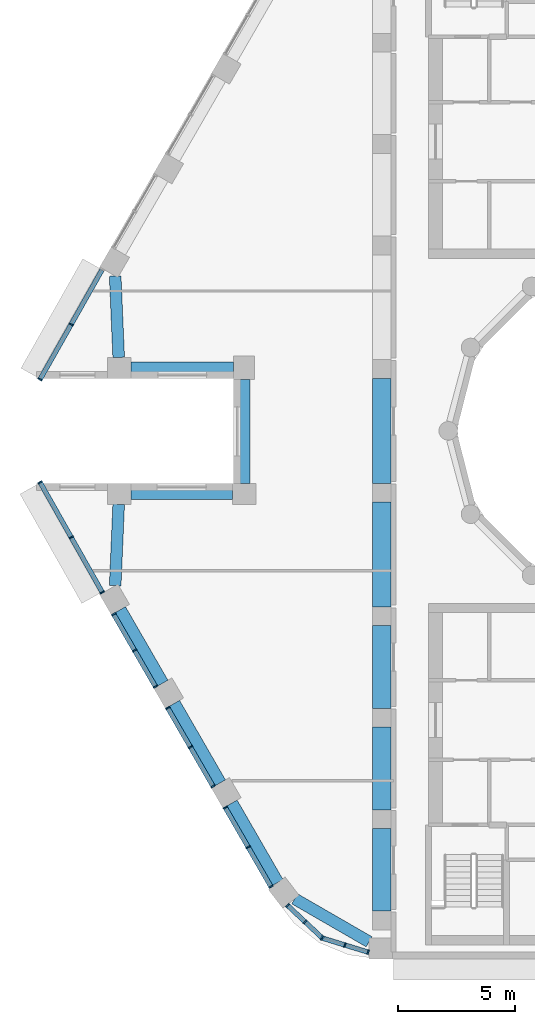
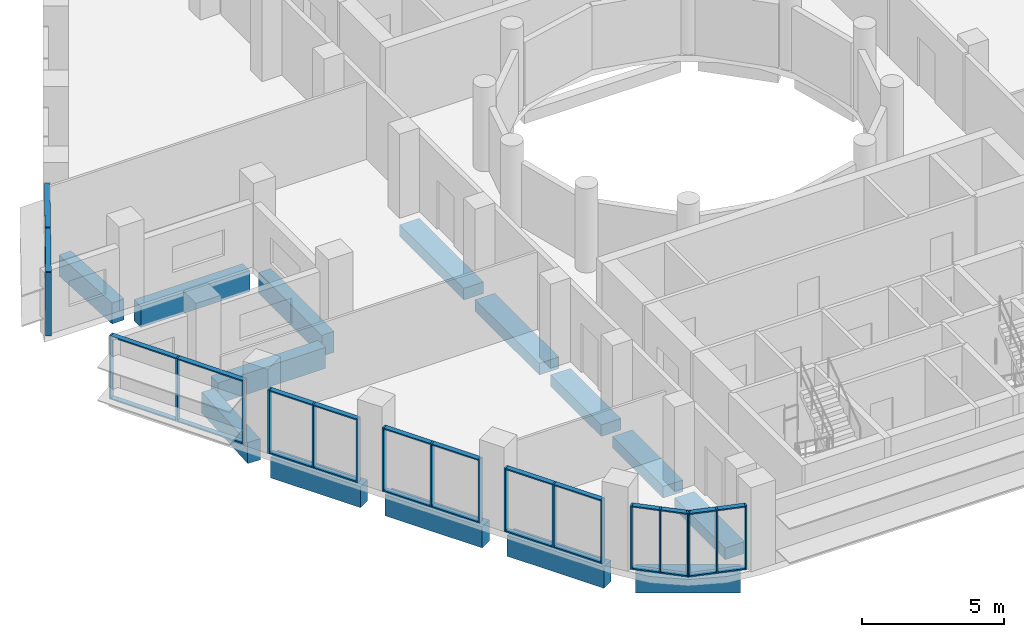
# One storey, part 2 of 16: 48 members, 14 beams, 7 elements without a shape of their own.
"""IFC4 building model written with IfcOpenShell, lengths in metres."""

from ifc_helpers import new_model, si_unit, direction, frame, origin, origin_2d, place, context, subcontext, project, spatial, rectangle, extrude, material, layer, layer_set, material_profile, profile_set, type_object, element, aggregate, save


model = new_model("IFC4")

# Units and contexts
model_context = context("Model", 3, precision=1e-05, world=origin(), true_north=direction((0.0, 1.0)))
body_context = subcontext(model_context, "Body", "Model", "MODEL_VIEW")
ifc_project = project(units=[si_unit("LENGTHUNIT", "METRE"), si_unit("AREAUNIT", "SQUARE_METRE"), si_unit("VOLUMEUNIT", "CUBIC_METRE"), si_unit("PLANEANGLEUNIT", "RADIAN"), si_unit("MASSUNIT", "GRAM", prefix="KILO")], contexts=[model_context])

# Site, building, storey
site_placement = place(None, origin())
site = spatial("IfcSite", under=ifc_project, at=site_placement, CompositionType="ELEMENT")
building_placement = place(site_placement, origin())
building = spatial("IfcBuilding", under=site, at=building_placement, Name="Nakaniwa Court", CompositionType="ELEMENT")
storey_placement = place(building_placement, frame((0.0, 0.0, 272.39990234375)))
storey = spatial("IfcBuildingStorey", under=building, at=storey_placement, Name="C01", CompositionType="ELEMENT", Elevation=272.39990234375)

# Beams
ifc_material_1 = material(Name="Concrete C80/100", Category="concrete")
ifc_material_profile_1 = material_profile(ifc_material_1, rectangle(XDim=0.5, YDim=0.89990234375, at=origin_2d()), Name="Concrete C80/100 RC 500x900 spandrel beam")
ifc_profile_set_1 = profile_set([ifc_material_profile_1], Name="Concrete C80/100")
beam_type_1 = type_object("IfcBeamType", Name="Concrete C80/100 RC 500x900 spandrel beam", PredefinedType="BEAM", material=ifc_profile_set_1)
beam_1_placement = place(storey_placement, frame((58.566650390625, 86.64013671875, -0.724853515625), z_axis=(0.042909518952, -0.999078962437, 0.0), x_axis=(0.999078962437, 0.042909518952, 0.0)))
element("IfcBeam", 1, at=beam_1_placement, inside=storey, type_object=beam_type_1, Name="SPANDREL BEAM", PredefinedType="BEAM", context=body_context, shape_type="SweptSolid", body=[
    extrude(rectangle(XDim=0.5, YDim=0.89990234375, at=origin_2d()), origin(), (0.0, 0.0, 1.0), 3.493408203125),
])
beam_2_placement = place(storey_placement, frame((59.236083984375, 82.699951171875, -0.724853515625), z_axis=(1.0, 0.0, 0.0), x_axis=(0.0, 1.0, 0.0)))
element("IfcBeam", 2, at=beam_2_placement, inside=storey, type_object=beam_type_1, Name="SPANDREL BEAM", PredefinedType="BEAM", context=body_context, shape_type="SweptSolid", body=[
    extrude(rectangle(XDim=0.5, YDim=0.89990234375, at=origin_2d()), origin(), (0.0, 0.0, 1.0), 4.414306640625),
])
beam_3_placement = place(storey_placement, frame((64.1005859375, 82.199951171875, -0.724853515625), z_axis=(0.0, -1.0, 0.0), x_axis=(1.0, 0.0, 0.0)))
element("IfcBeam", 3, at=beam_3_placement, inside=storey, type_object=beam_type_1, Name="SPANDREL BEAM", PredefinedType="BEAM", context=body_context, shape_type="SweptSolid", body=[
    extrude(rectangle(XDim=0.5, YDim=0.89990234375, at=origin_2d()), origin(), (0.0, 0.0, 1.0), 4.449951171875),
])
beam_4_placement = place(storey_placement, frame((63.6005859375, 77.300048828125, -0.724853515625), z_axis=(-1.0, 0.0, 0.0), x_axis=(0.0, -1.0, 0.0)))
element("IfcBeam", 4, at=beam_4_placement, inside=storey, type_object=beam_type_1, Name="SPANDREL BEAM", PredefinedType="BEAM", context=body_context, shape_type="SweptSolid", body=[
    extrude(rectangle(XDim=0.5, YDim=0.89990234375, at=origin_2d()), origin(), (0.0, 0.0, 1.0), 4.364501953125),
])
beam_5_placement = place(storey_placement, frame((58.716552734375, 76.85009765625, -0.724853515625), z_axis=(-0.042909518952, -0.999078962437, 0.0), x_axis=(0.999078962437, -0.042909518952, 0.0)))
element("IfcBeam", 5, at=beam_5_placement, inside=storey, type_object=beam_type_1, Name="SPANDREL BEAM", PredefinedType="BEAM", context=body_context, shape_type="SweptSolid", body=[
    extrude(rectangle(XDim=0.5, YDim=0.89990234375, at=origin_2d()), origin(), (0.0, 0.0, 1.0), 3.493408203125),
])
beam_6_placement = place(storey_placement, frame((58.791015625, 72.334716796875, -0.724853515625), z_axis=(0.500028315034, -0.866009055475, 0.0), x_axis=(0.866009055475, 0.500028315034, 0.0)))
element("IfcBeam", 6, at=beam_6_placement, inside=storey, type_object=beam_type_1, Name="SPANDREL BEAM", PredefinedType="BEAM", context=body_context, shape_type="SweptSolid", body=[
    extrude(rectangle(XDim=0.5, YDim=0.89990234375, at=origin_2d()), origin(), (0.0, 0.0, 1.0), 3.638916015625),
])
beam_7_placement = place(storey_placement, frame((61.110595703125, 68.3173828125, -0.724853515625), z_axis=(0.500021313302, -0.866013098194, 0.0), x_axis=(0.866013098194, 0.500021313302, 0.0)))
element("IfcBeam", 7, at=beam_7_placement, inside=storey, type_object=beam_type_1, Name="SPANDREL BEAM", PredefinedType="BEAM", context=body_context, shape_type="SweptSolid", body=[
    extrude(rectangle(XDim=0.5, YDim=0.89990234375, at=origin_2d()), origin(), (0.0, 0.0, 1.0), 3.936279296875),
])
beam_8_placement = place(storey_placement, frame((63.578857421875, 64.04248046875, -0.724853515625), z_axis=(0.499958946799, -0.866049104564, 0.0), x_axis=(0.866049104564, 0.499958946799, 0.0)))
element("IfcBeam", 8, at=beam_8_placement, inside=storey, type_object=beam_type_1, Name="SPANDREL BEAM", PredefinedType="BEAM", context=body_context, shape_type="SweptSolid", body=[
    extrude(rectangle(XDim=0.5, YDim=0.89990234375, at=origin_2d()), origin(), (0.0, 0.0, 1.0), 3.931884765625),
])
beam_9_placement = place(storey_placement, frame((66.265625, 59.929931640625, -0.724853515625), z_axis=(0.866006720078, -0.500032359733, 0.0), x_axis=(0.500032359733, 0.866006720078, 0.0)))
element("IfcBeam", 9, at=beam_9_placement, inside=storey, type_object=beam_type_1, Name="SPANDREL BEAM", PredefinedType="BEAM", context=body_context, shape_type="SweptSolid", body=[
    extrude(rectangle(XDim=0.5, YDim=0.89990234375, at=origin_2d()), origin(), (0.0, 0.0, 1.0), 3.682373046875),
])
ifc_material_profile_2 = material_profile(ifc_material_1, rectangle(XDim=0.800048828125, YDim=0.5, at=origin_2d()), Name="Concrete C80/100 RC 800x500 ring beam")
ifc_profile_set_2 = profile_set([ifc_material_profile_2], Name="Concrete C80/100")
beam_type_2 = type_object("IfcBeamType", Name="Concrete C80/100 RC 800x500 ring beam", PredefinedType="BEAM", material=ifc_profile_set_2)
for number, where, z_axis, x_axis, name in (
    (10, (70.0, 82.25, -0.52490234375), (0.0, -1.0, 0.0), (1.0, 0.0, 0.0), "RING BEAM"),
    (11, (70.0, 76.949951171875, -0.52490234375), (0.0, -1.0, 0.0), (1.0, 0.0, 0.0), "RING BEAM"),
):
    element("IfcBeam", number, at=place(storey_placement, frame(where, z_axis=z_axis, x_axis=x_axis)), inside=storey, type_object=beam_type_2, Name=name, PredefinedType="BEAM", context=body_context, shape_type="SweptSolid", body=[
        extrude(rectangle(XDim=0.800048828125, YDim=0.5, at=origin_2d()), origin(), (0.0, 0.0, 1.0), 4.5),
    ])
beam_10_placement = place(storey_placement, frame((70.0, 71.64990234375, -0.52490234375), z_axis=(0.0, -1.0, 0.0), x_axis=(1.0, 0.0, 0.0)))
element("IfcBeam", 12, at=beam_10_placement, inside=storey, type_object=beam_type_2, Name="RING BEAM", PredefinedType="BEAM", context=body_context, shape_type="SweptSolid", body=[
    extrude(rectangle(XDim=0.800048828125, YDim=0.5, at=origin_2d()), origin(), (0.0, 0.0, 1.0), 3.5498046875),
])
for number, where, z_axis, x_axis, name in (
    (13, (70.0, 67.300048828125, -0.52490234375), (0.0, -1.0, 0.0), (1.0, 0.0, 0.0), "RING BEAM"),
    (14, (70.0, 62.949951171875, -0.52490234375), (0.0, -1.0, 0.0), (1.0, 0.0, 0.0), "RING BEAM"),
):
    element("IfcBeam", number, at=place(storey_placement, frame(where, z_axis=z_axis, x_axis=x_axis)), inside=storey, type_object=beam_type_2, Name=name, PredefinedType="BEAM", context=body_context, shape_type="SweptSolid", body=[
        extrude(rectangle(XDim=0.800048828125, YDim=0.5, at=origin_2d()), origin(), (0.0, 0.0, 1.0), 3.550048828125),
    ])

# Curtain wall, members
ifc_material_2 = material(Name="Black anodised aluminium frame with dark low-E laminated double glazing", Category="aluminium")
ifc_layer = layer(ifc_material_2, 0.199951171875)
ifc_layer_set = layer_set([ifc_layer], Name="Black anodised aluminium frame with dark low-E laminated double glazing")
curtain_wall_type = type_object("IfcCurtainWallType", Name="Crown curtain wall", PredefinedType="NOTDEFINED", material=ifc_layer_set)
curtain_wall_1_placement = place(storey_placement, origin())
curtain_wall_1 = element("IfcCurtainWall", 15, at=curtain_wall_1_placement, inside=storey, type_object=curtain_wall_type, Name="C01 curtain wall CW4 14", PredefinedType="NOTDEFINED")
ifc_material_3 = material(Name="Black anodised aluminium extrusion", Category="aluminium")
ifc_material_profile_3 = material_profile(ifc_material_3, rectangle(XDim=0.199951171875, YDim=0.06494140625, at=origin_2d()), Name="Crown curtain wall mullion 65x200")
ifc_profile_set_3 = profile_set([ifc_material_profile_3], Name="Black anodised aluminium extrusion")
member_type_1 = type_object("IfcMemberType", Name="Crown curtain wall mullion 65x200", PredefinedType="MULLION", material=ifc_profile_set_3)
member_1_placement = place(storey_placement, frame((56.679443359375, 84.566162109375, 0.0), z_axis=(0.0, 0.0, 1.0), x_axis=(0.870495279169, -0.492176765953, 0.0)))
member_1 = element("IfcMember", 16, at=member_1_placement, type_object=member_type_1, Name="CW4 mullion 2", PredefinedType="MULLION", context=body_context, shape_type="SweptSolid", body=[
    extrude(rectangle(XDim=0.199951171875, YDim=0.06494140625, at=origin_2d()), origin(), (0.0, 0.0, 1.0), 2.72509765625),
])
member_2_placement = place(storey_placement, frame((55.34521484375, 82.206298828125, 0.0), z_axis=(0.0, 0.0, 1.0), x_axis=(0.870495279169, -0.492176765953, 0.0)))
member_2 = element("IfcMember", 17, at=member_2_placement, type_object=member_type_1, Name="CW4 mullion 3", PredefinedType="MULLION", context=body_context, shape_type="SweptSolid", body=[
    extrude(rectangle(XDim=0.199951171875, YDim=0.06494140625, at=origin_2d()), origin(), (0.0, 0.0, 1.0), 2.72509765625),
])

curtain_wall_2_placement = place(storey_placement, origin())
curtain_wall_2 = element("IfcCurtainWall", 18, at=curtain_wall_2_placement, inside=storey, type_object=curtain_wall_type, Name="C01 curtain wall CW4 20", PredefinedType="NOTDEFINED")
member_3_placement = place(storey_placement, frame((55.34521484375, 77.793701171875, 0.0), z_axis=(0.0, 0.0, 1.0), x_axis=(0.870495279169, 0.492176765953, 0.0)))
member_3 = element("IfcMember", 19, at=member_3_placement, type_object=member_type_1, Name="CW4 mullion 1", PredefinedType="MULLION", context=body_context, shape_type="SweptSolid", body=[
    extrude(rectangle(XDim=0.199951171875, YDim=0.06494140625, at=origin_2d()), origin(), (0.0, 0.0, 1.0), 2.72509765625),
])
member_4_placement = place(storey_placement, frame((56.679443359375, 75.433837890625, 0.0), z_axis=(0.0, 0.0, 1.0), x_axis=(0.870495279169, 0.492176765953, 0.0)))
member_4 = element("IfcMember", 20, at=member_4_placement, type_object=member_type_1, Name="CW4 mullion 2", PredefinedType="MULLION", context=body_context, shape_type="SweptSolid", body=[
    extrude(rectangle(XDim=0.199951171875, YDim=0.06494140625, at=origin_2d()), origin(), (0.0, 0.0, 1.0), 2.72509765625),
])
member_5_placement = place(storey_placement, frame((58.013671875, 73.073974609375, 0.0), z_axis=(0.0, 0.0, 1.0), x_axis=(0.870495279169, 0.492176765953, 0.0)))
member_5 = element("IfcMember", 21, at=member_5_placement, type_object=member_type_1, Name="CW4 mullion 3", PredefinedType="MULLION", context=body_context, shape_type="SweptSolid", body=[
    extrude(rectangle(XDim=0.199951171875, YDim=0.06494140625, at=origin_2d()), origin(), (0.0, 0.0, 1.0), 2.72509765625),
])

curtain_wall_3_placement = place(storey_placement, origin())
curtain_wall_3 = element("IfcCurtainWall", 22, at=curtain_wall_3_placement, inside=storey, type_object=curtain_wall_type, Name="C01 curtain wall CW4 21", PredefinedType="NOTDEFINED")
member_6_placement = place(storey_placement, frame((58.502197265625, 72.13525390625, 0.0), z_axis=(0.0, 0.0, 1.0), x_axis=(0.866032625369, 0.49998749164, 0.0)))
member_6 = element("IfcMember", 23, at=member_6_placement, type_object=member_type_1, Name="CW4 mullion 1", PredefinedType="MULLION", context=body_context, shape_type="SweptSolid", body=[
    extrude(rectangle(XDim=0.199951171875, YDim=0.06494140625, at=origin_2d()), origin(), (0.0, 0.0, 1.0), 2.72509765625),
])
member_7_placement = place(storey_placement, frame((59.397705078125, 70.583984375, 0.0), z_axis=(0.0, 0.0, 1.0), x_axis=(0.866032625369, 0.49998749164, 0.0)))
member_7 = element("IfcMember", 24, at=member_7_placement, type_object=member_type_1, Name="CW4 mullion 2", PredefinedType="MULLION", context=body_context, shape_type="SweptSolid", body=[
    extrude(rectangle(XDim=0.199951171875, YDim=0.06494140625, at=origin_2d()), origin(), (0.0, 0.0, 1.0), 2.72509765625),
])
member_8_placement = place(storey_placement, frame((60.293212890625, 69.032958984375, 0.0), z_axis=(0.0, 0.0, 1.0), x_axis=(0.866032625369, 0.49998749164, 0.0)))
member_8 = element("IfcMember", 25, at=member_8_placement, type_object=member_type_1, Name="CW4 mullion 3", PredefinedType="MULLION", context=body_context, shape_type="SweptSolid", body=[
    extrude(rectangle(XDim=0.199951171875, YDim=0.06494140625, at=origin_2d()), origin(), (0.0, 0.0, 1.0), 2.72509765625),
])

curtain_wall_4_placement = place(storey_placement, origin())
curtain_wall_4 = element("IfcCurtainWall", 26, at=curtain_wall_4_placement, inside=storey, type_object=curtain_wall_type, Name="C01 curtain wall CW4 22", PredefinedType="NOTDEFINED")
member_9_placement = place(storey_placement, frame((60.82177734375, 68.11767578125, 0.0), z_axis=(0.0, 0.0, 1.0), x_axis=(0.866015857958, 0.500016533491, 0.0)))
member_9 = element("IfcMember", 27, at=member_9_placement, type_object=member_type_1, Name="CW4 mullion 1", PredefinedType="MULLION", context=body_context, shape_type="SweptSolid", body=[
    extrude(rectangle(XDim=0.199951171875, YDim=0.06494140625, at=origin_2d()), origin(), (0.0, 0.0, 1.0), 2.72509765625),
])
member_10_placement = place(storey_placement, frame((61.79150390625, 66.437744140625, 0.0), z_axis=(0.0, 0.0, 1.0), x_axis=(0.866015857958, 0.500016533491, 0.0)))
member_10 = element("IfcMember", 28, at=member_10_placement, type_object=member_type_1, Name="CW4 mullion 2", PredefinedType="MULLION", context=body_context, shape_type="SweptSolid", body=[
    extrude(rectangle(XDim=0.199951171875, YDim=0.06494140625, at=origin_2d()), origin(), (0.0, 0.0, 1.0), 2.72509765625),
])
member_11_placement = place(storey_placement, frame((62.761474609375, 64.758056640625, 0.0), z_axis=(0.0, 0.0, 1.0), x_axis=(0.866015857958, 0.500016533491, 0.0)))
member_11 = element("IfcMember", 29, at=member_11_placement, type_object=member_type_1, Name="CW4 mullion 3", PredefinedType="MULLION", context=body_context, shape_type="SweptSolid", body=[
    extrude(rectangle(XDim=0.199951171875, YDim=0.06494140625, at=origin_2d()), origin(), (0.0, 0.0, 1.0), 2.72509765625),
])

curtain_wall_5_placement = place(storey_placement, origin())
curtain_wall_5 = element("IfcCurtainWall", 30, at=curtain_wall_5_placement, inside=storey, type_object=curtain_wall_type, Name="C01 curtain wall CW4 23", PredefinedType="NOTDEFINED")
member_12_placement = place(storey_placement, frame((63.2900390625, 63.8427734375, 0.0), z_axis=(0.0, 0.0, 1.0), x_axis=(0.866027822975, 0.499995809815, 0.0)))
member_12 = element("IfcMember", 31, at=member_12_placement, type_object=member_type_1, Name="CW4 mullion 1", PredefinedType="MULLION", context=body_context, shape_type="SweptSolid", body=[
    extrude(rectangle(XDim=0.199951171875, YDim=0.06494140625, at=origin_2d()), origin(), (0.0, 0.0, 1.0), 2.72509765625),
])
member_13_placement = place(storey_placement, frame((64.2685546875, 62.147705078125, 0.0), z_axis=(0.0, 0.0, 1.0), x_axis=(0.866027822975, 0.499995809815, 0.0)))
member_13 = element("IfcMember", 32, at=member_13_placement, type_object=member_type_1, Name="CW4 mullion 2", PredefinedType="MULLION", context=body_context, shape_type="SweptSolid", body=[
    extrude(rectangle(XDim=0.199951171875, YDim=0.06494140625, at=origin_2d()), origin(), (0.0, 0.0, 1.0), 2.72509765625),
])
member_14_placement = place(storey_placement, frame((65.2470703125, 60.45263671875, 0.0), z_axis=(0.0, 0.0, 1.0), x_axis=(0.866027822975, 0.499995809815, 0.0)))
member_14 = element("IfcMember", 33, at=member_14_placement, type_object=member_type_1, Name="CW4 mullion 3", PredefinedType="MULLION", context=body_context, shape_type="SweptSolid", body=[
    extrude(rectangle(XDim=0.199951171875, YDim=0.06494140625, at=origin_2d()), origin(), (0.0, 0.0, 1.0), 2.72509765625),
])

curtain_wall_6_placement = place(storey_placement, origin())
curtain_wall_6 = element("IfcCurtainWall", 34, at=curtain_wall_6_placement, inside=storey, type_object=curtain_wall_type, Name="C01 curtain wall CW4 24", PredefinedType="NOTDEFINED")
member_15_placement = place(storey_placement, frame((65.959228515625, 59.649169921875, 0.0), z_axis=(0.0, 0.0, 1.0), x_axis=(0.684182155809, 0.729311166562, 0.0)))
member_15 = element("IfcMember", 35, at=member_15_placement, type_object=member_type_1, Name="CW4 mullion 1", PredefinedType="MULLION", context=body_context, shape_type="SweptSolid", body=[
    extrude(rectangle(XDim=0.199951171875, YDim=0.06494140625, at=origin_2d()), origin(), (0.0, 0.0, 1.0), 2.72509765625),
])
member_16_placement = place(storey_placement, frame((66.71044921875, 58.9443359375, 0.0), z_axis=(0.0, 0.0, 1.0), x_axis=(0.684182155809, 0.729311166562, 0.0)))
member_16 = element("IfcMember", 36, at=member_16_placement, type_object=member_type_1, Name="CW4 mullion 2", PredefinedType="MULLION", context=body_context, shape_type="SweptSolid", body=[
    extrude(rectangle(XDim=0.199951171875, YDim=0.06494140625, at=origin_2d()), origin(), (0.0, 0.0, 1.0), 2.72509765625),
])
member_17_placement = place(storey_placement, frame((67.461669921875, 58.23974609375, 0.0), z_axis=(0.0, 0.0, 1.0), x_axis=(0.684182155809, 0.729311166562, 0.0)))
member_17 = element("IfcMember", 37, at=member_17_placement, type_object=member_type_1, Name="CW4 mullion 3", PredefinedType="MULLION", context=body_context, shape_type="SweptSolid", body=[
    extrude(rectangle(XDim=0.199951171875, YDim=0.06494140625, at=origin_2d()), origin(), (0.0, 0.0, 1.0), 2.72509765625),
])

curtain_wall_7_placement = place(storey_placement, origin())
curtain_wall_7 = element("IfcCurtainWall", 38, at=curtain_wall_7_placement, inside=storey, type_object=curtain_wall_type, Name="C01 curtain wall CW4 25", PredefinedType="NOTDEFINED")
member_18_placement = place(storey_placement, frame((67.42333984375, 58.255615234375, 0.0), z_axis=(0.0, 0.0, 1.0), x_axis=(0.293506245143, 0.955957155976, 0.0)))
member_18 = element("IfcMember", 39, at=member_18_placement, type_object=member_type_1, Name="CW4 mullion 1", PredefinedType="MULLION", context=body_context, shape_type="SweptSolid", body=[
    extrude(rectangle(XDim=0.199951171875, YDim=0.06494140625, at=origin_2d()), origin(), (0.0, 0.0, 1.0), 2.72509765625),
])
member_19_placement = place(storey_placement, frame((68.41796875, 57.9501953125, 0.0), z_axis=(0.0, 0.0, 1.0), x_axis=(0.293506245143, 0.955957155976, 0.0)))
member_19 = element("IfcMember", 40, at=member_19_placement, type_object=member_type_1, Name="CW4 mullion 2", PredefinedType="MULLION", context=body_context, shape_type="SweptSolid", body=[
    extrude(rectangle(XDim=0.199951171875, YDim=0.06494140625, at=origin_2d()), origin(), (0.0, 0.0, 1.0), 2.72509765625),
])
member_20_placement = place(storey_placement, frame((69.412841796875, 57.644775390625, 0.0), z_axis=(0.0, 0.0, 1.0), x_axis=(0.293506245143, 0.955957155976, 0.0)))
member_20 = element("IfcMember", 41, at=member_20_placement, type_object=member_type_1, Name="CW4 mullion 3", PredefinedType="MULLION", context=body_context, shape_type="SweptSolid", body=[
    extrude(rectangle(XDim=0.199951171875, YDim=0.06494140625, at=origin_2d()), origin(), (0.0, 0.0, 1.0), 2.72509765625),
])

# Member
ifc_material_profile_4 = material_profile(ifc_material_3, rectangle(XDim=0.199951171875, YDim=0.054931640625, at=origin_2d()), Name="Crown curtain wall transom 55x200")
ifc_profile_set_4 = profile_set([ifc_material_profile_4], Name="Black anodised aluminium extrusion")
member_type_2 = type_object("IfcMemberType", Name="Crown curtain wall transom 55x200", PredefinedType="USERDEFINED", material=ifc_profile_set_4)
member_21_placement = place(storey_placement, frame((57.997802734375, 86.897705078125, 0.027587890625), z_axis=(-0.492178871127, -0.870494088904, 0.0), x_axis=(0.870494088904, -0.492178871127, 0.0)))
member_21 = element("IfcMember", 42, at=member_21_placement, type_object=member_type_2, Name="CW4 transom 1.1", ObjectType="TRANSOM", PredefinedType="USERDEFINED", context=body_context, shape_type="SweptSolid", body=[
    extrude(rectangle(XDim=0.199951171875, YDim=0.054931640625, at=origin_2d()), origin(), (0.0, 0.0, 1.0), 2.64599609375),
])

member_22_placement = place(storey_placement, frame((57.997802734375, 86.897705078125, 2.697509765625), z_axis=(-0.492178871127, -0.870494088904, 0.0), x_axis=(0.870494088904, -0.492178871127, 0.0)))
member_22 = element("IfcMember", 43, at=member_22_placement, type_object=member_type_2, Name="CW4 transom 1.2", ObjectType="TRANSOM", PredefinedType="USERDEFINED", context=body_context, shape_type="SweptSolid", body=[
    extrude(rectangle(XDim=0.199951171875, YDim=0.054931640625, at=origin_2d()), origin(), (0.0, 0.0, 1.0), 2.64599609375),
])

member_23_placement = place(storey_placement, frame((56.66357421875, 84.537841796875, 0.027587890625), z_axis=(-0.492178871127, -0.870494088904, 0.0), x_axis=(0.870494088904, -0.492178871127, 0.0)))
member_23 = element("IfcMember", 44, at=member_23_placement, type_object=member_type_2, Name="CW4 transom 2.1", ObjectType="TRANSOM", PredefinedType="USERDEFINED", context=body_context, shape_type="SweptSolid", body=[
    extrude(rectangle(XDim=0.199951171875, YDim=0.054931640625, at=origin_2d()), origin(), (0.0, 0.0, 1.0), 2.64599609375),
])

member_24_placement = place(storey_placement, frame((56.66357421875, 84.537841796875, 2.697509765625), z_axis=(-0.492178871127, -0.870494088904, 0.0), x_axis=(0.870494088904, -0.492178871127, 0.0)))
member_24 = element("IfcMember", 45, at=member_24_placement, type_object=member_type_2, Name="CW4 transom 2.2", ObjectType="TRANSOM", PredefinedType="USERDEFINED", context=body_context, shape_type="SweptSolid", body=[
    extrude(rectangle(XDim=0.199951171875, YDim=0.054931640625, at=origin_2d()), origin(), (0.0, 0.0, 1.0), 2.64599609375),
])

aggregate(curtain_wall_1, [member_1, member_2, member_21, member_22, member_23, member_24])

member_25_placement = place(storey_placement, frame((55.361328125, 77.765380859375, 0.027587890625), z_axis=(0.492178871127, -0.870494088904, 0.0), x_axis=(0.870494088904, 0.492178871127, 0.0)))
member_25 = element("IfcMember", 46, at=member_25_placement, type_object=member_type_2, Name="CW4 transom 1.1", ObjectType="TRANSOM", PredefinedType="USERDEFINED", context=body_context, shape_type="SweptSolid", body=[
    extrude(rectangle(XDim=0.199951171875, YDim=0.054931640625, at=origin_2d()), origin(), (0.0, 0.0, 1.0), 2.64599609375),
])

member_26_placement = place(storey_placement, frame((55.361328125, 77.765380859375, 2.697509765625), z_axis=(0.492178871127, -0.870494088904, 0.0), x_axis=(0.870494088904, 0.492178871127, 0.0)))
member_26 = element("IfcMember", 47, at=member_26_placement, type_object=member_type_2, Name="CW4 transom 1.2", ObjectType="TRANSOM", PredefinedType="USERDEFINED", context=body_context, shape_type="SweptSolid", body=[
    extrude(rectangle(XDim=0.199951171875, YDim=0.054931640625, at=origin_2d()), origin(), (0.0, 0.0, 1.0), 2.64599609375),
])

member_27_placement = place(storey_placement, frame((56.695556640625, 75.405517578125, 0.027587890625), z_axis=(0.492178871127, -0.870494088904, 0.0), x_axis=(0.870494088904, 0.492178871127, 0.0)))
member_27 = element("IfcMember", 48, at=member_27_placement, type_object=member_type_2, Name="CW4 transom 2.1", ObjectType="TRANSOM", PredefinedType="USERDEFINED", context=body_context, shape_type="SweptSolid", body=[
    extrude(rectangle(XDim=0.199951171875, YDim=0.054931640625, at=origin_2d()), origin(), (0.0, 0.0, 1.0), 2.64599609375),
])

member_28_placement = place(storey_placement, frame((56.695556640625, 75.405517578125, 2.697509765625), z_axis=(0.492178871127, -0.870494088904, 0.0), x_axis=(0.870494088904, 0.492178871127, 0.0)))
member_28 = element("IfcMember", 49, at=member_28_placement, type_object=member_type_2, Name="CW4 transom 2.2", ObjectType="TRANSOM", PredefinedType="USERDEFINED", context=body_context, shape_type="SweptSolid", body=[
    extrude(rectangle(XDim=0.199951171875, YDim=0.054931640625, at=origin_2d()), origin(), (0.0, 0.0, 1.0), 2.64599609375),
])

aggregate(curtain_wall_2, [member_3, member_4, member_5, member_25, member_26, member_27, member_28])

member_29_placement = place(storey_placement, frame((58.5185546875, 72.10693359375, 0.027587890625), z_axis=(0.500048976984, -0.865997125063, 0.0), x_axis=(0.865997125063, 0.500048976984, 0.0)))
member_29 = element("IfcMember", 50, at=member_29_placement, type_object=member_type_2, Name="CW4 transom 1.1", ObjectType="TRANSOM", PredefinedType="USERDEFINED", context=body_context, shape_type="SweptSolid", body=[
    extrude(rectangle(XDim=0.199951171875, YDim=0.054931640625, at=origin_2d()), origin(), (0.0, 0.0, 1.0), 1.725830078125),
])

member_30_placement = place(storey_placement, frame((58.5185546875, 72.10693359375, 2.697509765625), z_axis=(0.500048976984, -0.865997125063, 0.0), x_axis=(0.865997125063, 0.500048976984, 0.0)))
member_30 = element("IfcMember", 51, at=member_30_placement, type_object=member_type_2, Name="CW4 transom 1.2", ObjectType="TRANSOM", PredefinedType="USERDEFINED", context=body_context, shape_type="SweptSolid", body=[
    extrude(rectangle(XDim=0.199951171875, YDim=0.054931640625, at=origin_2d()), origin(), (0.0, 0.0, 1.0), 1.725830078125),
])

member_31_placement = place(storey_placement, frame((59.4140625, 70.555908203125, 0.027587890625), z_axis=(0.499987726745, -0.866032489635, 0.0), x_axis=(0.866032489635, 0.499987726745, 0.0)))
member_31 = element("IfcMember", 52, at=member_31_placement, type_object=member_type_2, Name="CW4 transom 2.1", ObjectType="TRANSOM", PredefinedType="USERDEFINED", context=body_context, shape_type="SweptSolid", body=[
    extrude(rectangle(XDim=0.199951171875, YDim=0.054931640625, at=origin_2d()), origin(), (0.0, 0.0, 1.0), 1.72607421875),
])

member_32_placement = place(storey_placement, frame((59.4140625, 70.555908203125, 2.697509765625), z_axis=(0.499987726745, -0.866032489635, 0.0), x_axis=(0.866032489635, 0.499987726745, 0.0)))
member_32 = element("IfcMember", 53, at=member_32_placement, type_object=member_type_2, Name="CW4 transom 2.2", ObjectType="TRANSOM", PredefinedType="USERDEFINED", context=body_context, shape_type="SweptSolid", body=[
    extrude(rectangle(XDim=0.199951171875, YDim=0.054931640625, at=origin_2d()), origin(), (0.0, 0.0, 1.0), 1.72607421875),
])

aggregate(curtain_wall_3, [member_6, member_7, member_8, member_29, member_30, member_31, member_32])

member_33_placement = place(storey_placement, frame((60.837890625, 68.08935546875, 0.027587890625), z_axis=(0.50011702088, -0.865957831206, 0.0), x_axis=(0.865957831206, 0.50011702088, 0.0)))
member_33 = element("IfcMember", 54, at=member_33_placement, type_object=member_type_2, Name="CW4 transom 1.1", ObjectType="TRANSOM", PredefinedType="USERDEFINED", context=body_context, shape_type="SweptSolid", body=[
    extrude(rectangle(XDim=0.199951171875, YDim=0.054931640625, at=origin_2d()), origin(), (0.0, 0.0, 1.0), 1.87451171875),
])

member_34_placement = place(storey_placement, frame((60.837890625, 68.08935546875, 2.697509765625), z_axis=(0.50011702088, -0.865957831206, 0.0), x_axis=(0.865957831206, 0.50011702088, 0.0)))
member_34 = element("IfcMember", 55, at=member_34_placement, type_object=member_type_2, Name="CW4 transom 1.2", ObjectType="TRANSOM", PredefinedType="USERDEFINED", context=body_context, shape_type="SweptSolid", body=[
    extrude(rectangle(XDim=0.199951171875, YDim=0.054931640625, at=origin_2d()), origin(), (0.0, 0.0, 1.0), 1.87451171875),
])

member_35_placement = place(storey_placement, frame((61.807861328125, 66.40966796875, 0.027587890625), z_axis=(0.499962952589, -0.86604679206, 0.0), x_axis=(0.86604679206, 0.499962952589, 0.0)))
member_35 = element("IfcMember", 56, at=member_35_placement, type_object=member_type_2, Name="CW4 transom 2.1", ObjectType="TRANSOM", PredefinedType="USERDEFINED", context=body_context, shape_type="SweptSolid", body=[
    extrude(rectangle(XDim=0.199951171875, YDim=0.054931640625, at=origin_2d()), origin(), (0.0, 0.0, 1.0), 1.874755859375),
])

member_36_placement = place(storey_placement, frame((61.807861328125, 66.40966796875, 2.697509765625), z_axis=(0.499962952589, -0.86604679206, 0.0), x_axis=(0.86604679206, 0.499962952589, 0.0)))
member_36 = element("IfcMember", 57, at=member_36_placement, type_object=member_type_2, Name="CW4 transom 2.2", ObjectType="TRANSOM", PredefinedType="USERDEFINED", context=body_context, shape_type="SweptSolid", body=[
    extrude(rectangle(XDim=0.199951171875, YDim=0.054931640625, at=origin_2d()), origin(), (0.0, 0.0, 1.0), 1.874755859375),
])

aggregate(curtain_wall_4, [member_9, member_10, member_11, member_33, member_34, member_35, member_36])

member_37_placement = place(storey_placement, frame((63.30615234375, 63.814697265625, 0.027587890625), z_axis=(0.499927200086, -0.866067430755, 0.0), x_axis=(0.866067430755, 0.499927200086, 0.0)))
member_37 = element("IfcMember", 58, at=member_37_placement, type_object=member_type_2, Name="CW4 transom 1.1", ObjectType="TRANSOM", PredefinedType="USERDEFINED", context=body_context, shape_type="SweptSolid", body=[
    extrude(rectangle(XDim=0.199951171875, YDim=0.054931640625, at=origin_2d()), origin(), (0.0, 0.0, 1.0), 1.892333984375),
])

member_38_placement = place(storey_placement, frame((63.30615234375, 63.814697265625, 2.697509765625), z_axis=(0.499927200086, -0.866067430755, 0.0), x_axis=(0.866067430755, 0.499927200086, 0.0)))
member_38 = element("IfcMember", 59, at=member_38_placement, type_object=member_type_2, Name="CW4 transom 1.2", ObjectType="TRANSOM", PredefinedType="USERDEFINED", context=body_context, shape_type="SweptSolid", body=[
    extrude(rectangle(XDim=0.199951171875, YDim=0.054931640625, at=origin_2d()), origin(), (0.0, 0.0, 1.0), 1.892333984375),
])

member_39_placement = place(storey_placement, frame((64.284912109375, 62.11962890625, 0.027587890625), z_axis=(0.499983064336, -0.866035181374, 0.0), x_axis=(0.866035181374, 0.499983064336, 0.0)))
member_39 = element("IfcMember", 60, at=member_39_placement, type_object=member_type_2, Name="CW4 transom 2.1", ObjectType="TRANSOM", PredefinedType="USERDEFINED", context=body_context, shape_type="SweptSolid", body=[
    extrude(rectangle(XDim=0.199951171875, YDim=0.054931640625, at=origin_2d()), origin(), (0.0, 0.0, 1.0), 1.89208984375),
])

member_40_placement = place(storey_placement, frame((64.284912109375, 62.11962890625, 2.697509765625), z_axis=(0.499983064336, -0.866035181374, 0.0), x_axis=(0.866035181374, 0.499983064336, 0.0)))
member_40 = element("IfcMember", 61, at=member_40_placement, type_object=member_type_2, Name="CW4 transom 2.2", ObjectType="TRANSOM", PredefinedType="USERDEFINED", context=body_context, shape_type="SweptSolid", body=[
    extrude(rectangle(XDim=0.199951171875, YDim=0.054931640625, at=origin_2d()), origin(), (0.0, 0.0, 1.0), 1.89208984375),
])

aggregate(curtain_wall_5, [member_12, member_13, member_14, member_37, member_38, member_39, member_40])

member_41_placement = place(storey_placement, frame((65.98291015625, 59.626953125, 0.027587890625), z_axis=(0.72938728258, -0.684101010093, 0.0), x_axis=(0.684101010093, 0.72938728258, 0.0)))
member_41 = element("IfcMember", 62, at=member_41_placement, type_object=member_type_2, Name="CW4 transom 1.1", ObjectType="TRANSOM", PredefinedType="USERDEFINED", context=body_context, shape_type="SweptSolid", body=[
    extrude(rectangle(XDim=0.199951171875, YDim=0.054931640625, at=origin_2d()), origin(), (0.0, 0.0, 1.0), 0.965087890625),
])

member_42_placement = place(storey_placement, frame((65.98291015625, 59.626953125, 2.697509765625), z_axis=(0.72938728258, -0.684101010093, 0.0), x_axis=(0.684101010093, 0.72938728258, 0.0)))
member_42 = element("IfcMember", 63, at=member_42_placement, type_object=member_type_2, Name="CW4 transom 1.2", ObjectType="TRANSOM", PredefinedType="USERDEFINED", context=body_context, shape_type="SweptSolid", body=[
    extrude(rectangle(XDim=0.199951171875, YDim=0.054931640625, at=origin_2d()), origin(), (0.0, 0.0, 1.0), 0.965087890625),
])

member_43_placement = place(storey_placement, frame((66.734130859375, 58.922119140625, 0.027587890625), z_axis=(0.72938728258, -0.684101010093, 0.0), x_axis=(0.684101010093, 0.72938728258, 0.0)))
member_43 = element("IfcMember", 64, at=member_43_placement, type_object=member_type_2, Name="CW4 transom 2.1", ObjectType="TRANSOM", PredefinedType="USERDEFINED", context=body_context, shape_type="SweptSolid", body=[
    extrude(rectangle(XDim=0.199951171875, YDim=0.054931640625, at=origin_2d()), origin(), (0.0, 0.0, 1.0), 0.965087890625),
])

member_44_placement = place(storey_placement, frame((66.734130859375, 58.922119140625, 2.697509765625), z_axis=(0.72938728258, -0.684101010093, 0.0), x_axis=(0.684101010093, 0.72938728258, 0.0)))
member_44 = element("IfcMember", 65, at=member_44_placement, type_object=member_type_2, Name="CW4 transom 2.2", ObjectType="TRANSOM", PredefinedType="USERDEFINED", context=body_context, shape_type="SweptSolid", body=[
    extrude(rectangle(XDim=0.199951171875, YDim=0.054931640625, at=origin_2d()), origin(), (0.0, 0.0, 1.0), 0.965087890625),
])

aggregate(curtain_wall_6, [member_15, member_16, member_17, member_41, member_42, member_43, member_44])

member_45_placement = place(storey_placement, frame((67.454345703125, 58.24609375, 0.027587890625), z_axis=(0.955946586921, -0.293540666612, 0.0), x_axis=(0.293540666612, 0.955946586921, 0.0)))
member_45 = element("IfcMember", 66, at=member_45_placement, type_object=member_type_2, Name="CW4 transom 1.1", ObjectType="TRANSOM", PredefinedType="USERDEFINED", context=body_context, shape_type="SweptSolid", body=[
    extrude(rectangle(XDim=0.199951171875, YDim=0.054931640625, at=origin_2d()), origin(), (0.0, 0.0, 1.0), 0.9755859375),
])

member_46_placement = place(storey_placement, frame((67.454345703125, 58.24609375, 2.697509765625), z_axis=(0.955946586921, -0.293540666612, 0.0), x_axis=(0.293540666612, 0.955946586921, 0.0)))
member_46 = element("IfcMember", 67, at=member_46_placement, type_object=member_type_2, Name="CW4 transom 1.2", ObjectType="TRANSOM", PredefinedType="USERDEFINED", context=body_context, shape_type="SweptSolid", body=[
    extrude(rectangle(XDim=0.199951171875, YDim=0.054931640625, at=origin_2d()), origin(), (0.0, 0.0, 1.0), 0.9755859375),
])

member_47_placement = place(storey_placement, frame((68.448974609375, 57.940673828125, 0.027587890625), z_axis=(0.955946586921, -0.293540666612, 0.0), x_axis=(0.293540666612, 0.955946586921, 0.0)))
member_47 = element("IfcMember", 68, at=member_47_placement, type_object=member_type_2, Name="CW4 transom 2.1", ObjectType="TRANSOM", PredefinedType="USERDEFINED", context=body_context, shape_type="SweptSolid", body=[
    extrude(rectangle(XDim=0.199951171875, YDim=0.054931640625, at=origin_2d()), origin(), (0.0, 0.0, 1.0), 0.9755859375),
])

member_48_placement = place(storey_placement, frame((68.448974609375, 57.940673828125, 2.697509765625), z_axis=(0.955946586921, -0.293540666612, 0.0), x_axis=(0.293540666612, 0.955946586921, 0.0)))
member_48 = element("IfcMember", 69, at=member_48_placement, type_object=member_type_2, Name="CW4 transom 2.2", ObjectType="TRANSOM", PredefinedType="USERDEFINED", context=body_context, shape_type="SweptSolid", body=[
    extrude(rectangle(XDim=0.199951171875, YDim=0.054931640625, at=origin_2d()), origin(), (0.0, 0.0, 1.0), 0.9755859375),
])

aggregate(curtain_wall_7, [member_18, member_19, member_20, member_45, member_46, member_47, member_48])

save(model, "model.ifc")
